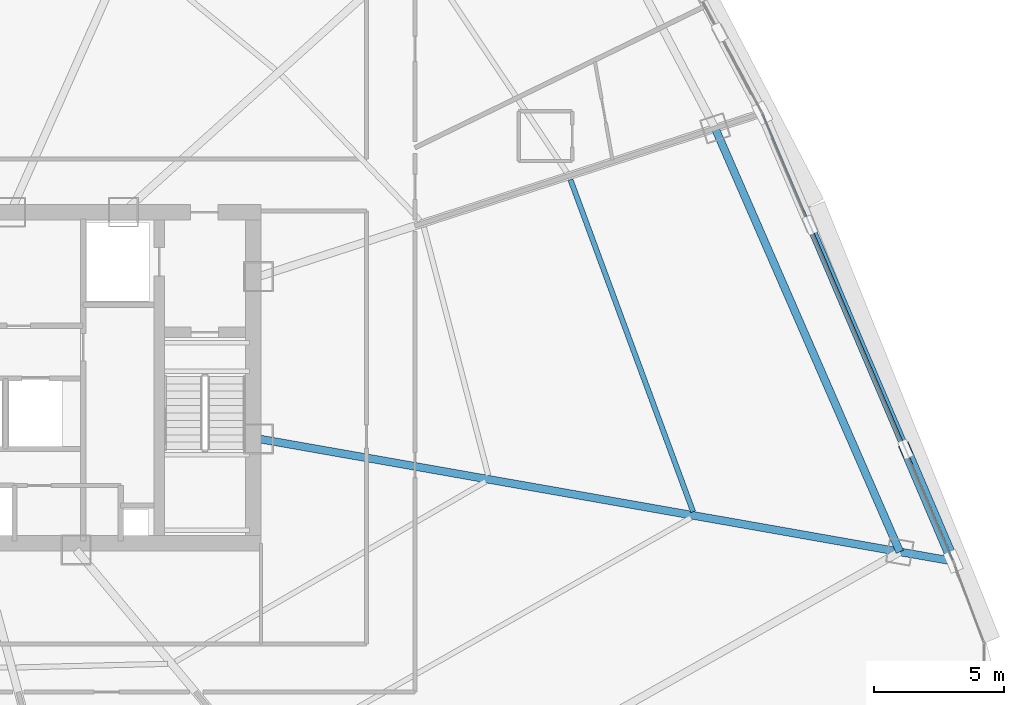
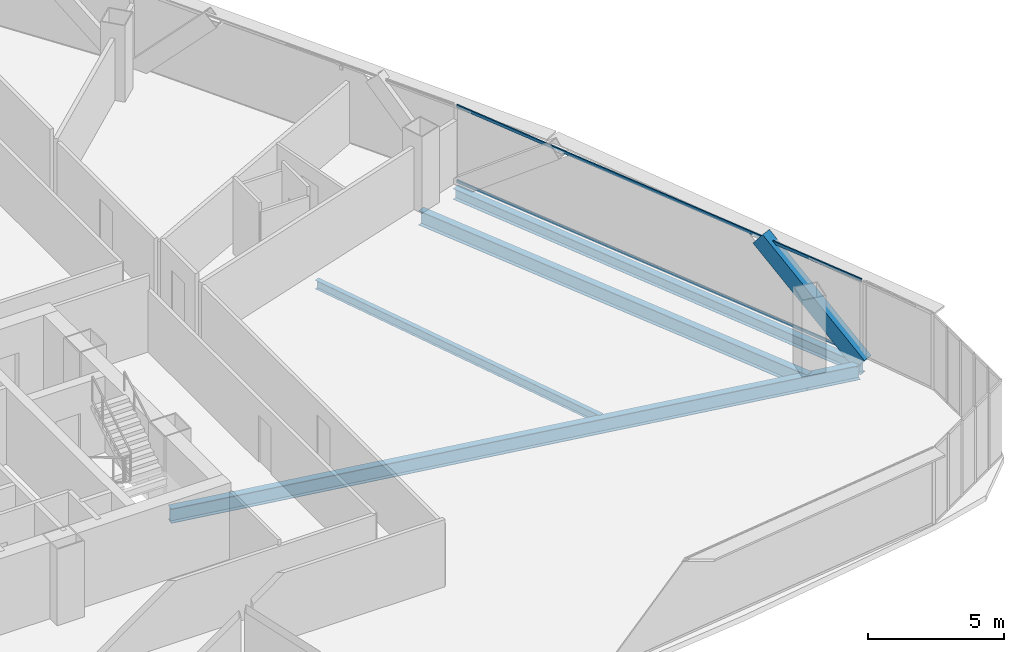
# One storey, part 25 of 42: 4 beams, 3 members, 1 element without a shape of its own.
"""IFC4 building model written with IfcOpenShell, lengths in metres."""

import ifcopenshell
import ifcopenshell.guid

model = None  # the IFC model being written
_history = None  # IfcOwnerHistory: only IFC2X3 demands one
_inside = {}  # id of a spatial element -> (the spatial element, [elements in it])
_under = {}  # id of a project, library or spatial element -> (it, [spatial elements below it])
_declared = {}  # id of a project -> (the project, [libraries it declares])
_typed = {}  # id of a type object -> (the type object, [elements of that type])
_made_of = {}  # id of a material, layer set ... -> (it, [elements and type objects made of it])


def new_model(schema):
    """Start an empty IFC model of exactly this schema.

    Asked for "IFC4X3", IfcOpenShell would pick the latest addendum, in which some entities
    have other attributes; the version numbers below select the first issue.
    IFC2X3 requires an IfcOwnerHistory on every rooted entity: one is made here for all.
    """
    global model, _history
    if schema == "IFC4X3":
        model = ifcopenshell.file(schema_version=(4, 3, 0, 0))
    else:
        model = ifcopenshell.file(schema=schema)
    _inside.clear()
    _under.clear()
    _declared.clear()
    _typed.clear()
    _made_of.clear()
    _history = None
    if model.schema == "IFC2X3":
        org = make("IfcOrganization", Name="unknown")
        user = make(
            "IfcPersonAndOrganization",
            ThePerson=make("IfcPerson", FamilyName="unknown"),
            TheOrganization=org,
        )
        app = make(
            "IfcApplication",
            ApplicationDeveloper=org,
            Version="unknown",
            ApplicationFullName="unknown",
            ApplicationIdentifier="unknown",
        )
        _history = make(
            "IfcOwnerHistory",
            OwningUser=user,
            OwningApplication=app,
            ChangeAction="ADDED",
            CreationDate=0,
        )
    return model


def make(cls, **values):
    """One entity of the class cls with the attributes given. An attribute that is None is left unset."""
    return model.create_entity(
        cls, **{name: value for name, value in values.items() if value is not None}
    )


def rooted(cls, **values):
    """An entity with a GlobalId (a new one), such as an element, a storey or a relation."""
    return make(cls, GlobalId=ifcopenshell.guid.new(), OwnerHistory=_history, **values)


def si_unit(unit_type, name, prefix=None):
    """IfcSIUnit, for example si_unit("LENGTHUNIT", "METRE", prefix="MILLI")."""
    return make("IfcSIUnit", UnitType=unit_type, Prefix=prefix, Name=name)


def assignment(units):
    """IfcUnitAssignment: the units of a project."""
    return None if units is None else make("IfcUnitAssignment", Units=units)


def point(xyz):
    """IfcCartesianPoint."""
    return None if xyz is None else make("IfcCartesianPoint", Coordinates=xyz)


def direction(xyz):
    """IfcDirection."""
    return None if xyz is None else make("IfcDirection", DirectionRatios=xyz)


def frame(location, z_axis=None, x_axis=None):
    """IfcAxis2Placement3D, a coordinate frame: its origin and axes. An axis left out is left unset."""
    return make(
        "IfcAxis2Placement3D",
        Location=point(location),
        Axis=direction(z_axis),
        RefDirection=direction(x_axis),
    )


def frame_2d(location, x_axis=None):
    """IfcAxis2Placement2D, a coordinate frame in the plane: its origin and x axis."""
    return make(
        "IfcAxis2Placement2D", Location=point(location), RefDirection=direction(x_axis)
    )


def origin():
    """The frame at (0, 0, 0) with its axes left unset."""
    return frame((0.0, 0.0, 0.0))


def origin_2d():
    """The frame at (0, 0) in the plane with its x axis left unset."""
    return frame_2d((0.0, 0.0))


def place(relative_to, where):
    """IfcLocalPlacement: puts the frame where relative to a parent placement (None: the world)."""
    return make(
        "IfcLocalPlacement", PlacementRelTo=relative_to, RelativePlacement=where
    )


def context(
    kind, dimensions, precision=None, world=None, true_north=None, identifier=None
):
    """IfcGeometricRepresentationContext, for example the 3D "Model" context."""
    return make(
        "IfcGeometricRepresentationContext",
        ContextIdentifier=identifier,
        ContextType=kind,
        CoordinateSpaceDimension=dimensions,
        Precision=precision,
        WorldCoordinateSystem=world,
        TrueNorth=true_north,
    )


def subcontext(parent, identifier, kind, view, scale=None):
    """IfcGeometricRepresentationSubContext, for example "Body" below "Model"."""
    return make(
        "IfcGeometricRepresentationSubContext",
        ContextIdentifier=identifier,
        ContextType=kind,
        ParentContext=parent,
        TargetScale=scale,
        TargetView=view,
    )


def project(units=None, contexts=None):
    """IfcProject with its units and contexts."""
    return rooted(
        "IfcProject",
        Name="project",
        RepresentationContexts=contexts,
        UnitsInContext=assignment(units),
    )


def spatial(cls, under=None, at=None, **own):
    """A site, building, storey or space (cls), placed at a placement, below another one or the project."""
    s = rooted(cls, ObjectPlacement=at, **own)
    if under is not None:
        _under.setdefault(under.id(), (under, []))[1].append(s)
    return s


def profile(cls, at=None, kind="AREA", **sizes):
    """A parametric profile (cls). Its sizes go by their IFC names, for example OverallWidth=200.0."""
    return make(cls, ProfileType=kind, Position=at, **sizes)


def hollow_rectangle(**sizes):
    """IfcRectangleHollowProfileDef."""
    return profile("IfcRectangleHollowProfileDef", **sizes)


def i_section(**sizes):
    """IfcIShapeProfileDef."""
    return profile("IfcIShapeProfileDef", **sizes)


def extrude(swept, where, along, depth):
    """IfcExtrudedAreaSolid: the profile swept, set in the frame where, extruded along a direction by depth."""
    return make(
        "IfcExtrudedAreaSolid",
        SweptArea=swept,
        Position=where,
        ExtrudedDirection=direction(along),
        Depth=depth,
    )


def shape(context_of_items, identifier, shape_type, items):
    """IfcShapeRepresentation: the items that make up one representation, for example the "Body"."""
    return make(
        "IfcShapeRepresentation",
        ContextOfItems=context_of_items,
        RepresentationIdentifier=identifier,
        RepresentationType=shape_type,
        Items=items,
    )


def source(mapping_origin, context_of_items, identifier, shape_type, items):
    """IfcRepresentationMap: a shape defined once, which mapped items show again and again."""
    return make(
        "IfcRepresentationMap",
        MappingOrigin=mapping_origin,
        MappedRepresentation=shape(context_of_items, identifier, shape_type, items),
    )


def transform(
    local_origin,
    x_axis=None,
    y_axis=None,
    z_axis=None,
    scale=None,
    scale2=None,
    scale3=None,
    uniform=True,
):
    """IfcCartesianTransformationOperator3D, or its non-uniform kind. x_axis, y_axis, z_axis: its Axis1, 2, 3."""
    if uniform:
        return make(
            "IfcCartesianTransformationOperator3D",
            Axis1=direction(x_axis),
            Axis2=direction(y_axis),
            LocalOrigin=point(local_origin),
            Scale=scale,
            Axis3=direction(z_axis),
        )
    return make(
        "IfcCartesianTransformationOperator3DnonUniform",
        Axis1=direction(x_axis),
        Axis2=direction(y_axis),
        LocalOrigin=point(local_origin),
        Scale=scale,
        Axis3=direction(z_axis),
        Scale2=scale2,
        Scale3=scale3,
    )


def mapped(mapping_source, mapping_target):
    """IfcMappedItem: shows the shape of a source again, moved by a transform."""
    return make(
        "IfcMappedItem", MappingSource=mapping_source, MappingTarget=mapping_target
    )


def material(Name=None, Category=None):
    """IfcMaterial."""
    return make("IfcMaterial", Name=Name, Category=Category)


def layer(
    of_material, thickness, ventilated=None, Name=None, Category=None, Priority=None
):
    """IfcMaterialLayer: one layer of a wall or slab, of a material (None: an air gap)."""
    return make(
        "IfcMaterialLayer",
        Material=of_material,
        LayerThickness=thickness,
        IsVentilated=ventilated,
        Name=Name,
        Category=Category,
        Priority=Priority,
    )


def layer_set(layers, Name=None):
    """IfcMaterialLayerSet."""
    return make("IfcMaterialLayerSet", MaterialLayers=layers, LayerSetName=Name)


def material_profile(
    of_material, cross_section, Name=None, Category=None, Priority=None
):
    """IfcMaterialProfile: a cross section and its material."""
    return make(
        "IfcMaterialProfile",
        Name=Name,
        Material=of_material,
        Profile=cross_section,
        Priority=Priority,
        Category=Category,
    )


def profile_set(profiles, Name=None, composite=None):
    """IfcMaterialProfileSet."""
    return make(
        "IfcMaterialProfileSet",
        Name=Name,
        MaterialProfiles=profiles,
        CompositeProfile=composite,
    )


def made_of(thing, what):
    """Note that an element or type object is made of a material, layer set ...; save() writes the relation."""
    if what is not None:
        _made_of.setdefault(what.id(), (what, []))[1].append(thing)
    return thing


def type_object(cls, material=None, **own):
    """A type object (cls), such as IfcWallType, which elements share."""
    return made_of(rooted(cls, **own), material)


def element(
    cls,
    number,
    at=None,
    inside=None,
    cuts=None,
    type_object=None,
    material=None,
    context=None,
    identifier="Body",
    shape_type=None,
    held_by="IfcProductDefinitionShape",
    body=None,
    shapes=None,
    **own,
):
    """One element of the class cls, such as IfcWall. Its Tag is "e" and its number.

    at: its placement. inside: the storey or other place that contains it. cuts: it is an
    opening in that element (IfcRelVoidsElement). A single representation is given by context,
    identifier, shape_type and body (its items); several are given by shapes. held_by: the class
    of the entity that holds the representations. save() writes the other relations.
    """
    e = rooted(cls, Tag="e%d" % number, ObjectPlacement=at, **own)
    if body is not None:
        shapes = [shape(context, identifier, shape_type, body)]
    if shapes is not None:
        e.Representation = make(held_by, Representations=shapes)
    if inside is not None:
        _inside.setdefault(inside.id(), (inside, []))[1].append(e)
    if cuts is not None:
        rooted(
            "IfcRelVoidsElement", RelatingBuildingElement=cuts, RelatedOpeningElement=e
        )
    if type_object is not None:
        _typed.setdefault(type_object.id(), (type_object, []))[1].append(e)
    return made_of(e, material)


def aggregate(whole, parts):
    """IfcRelAggregates: a whole, such as a stair, and the parts it consists of."""
    return rooted("IfcRelAggregates", RelatingObject=whole, RelatedObjects=parts)


def save(model, path):
    """Write the relations noted so far, then the file.

    IfcRelAggregates (storeys below a building ...), IfcRelContainedInSpatialStructure (elements
    in a storey), IfcRelDefinesByType, IfcRelAssociatesMaterial and IfcRelDeclares: one each for
    every whole, place, type object, material and project.
    """
    for whole, parts in _under.values():
        aggregate(whole, parts)
    for where, things in _inside.values():
        rooted(
            "IfcRelContainedInSpatialStructure",
            RelatedElements=things,
            RelatingStructure=where,
        )
    for kind, things in _typed.values():
        rooted("IfcRelDefinesByType", RelatedObjects=things, RelatingType=kind)
    for what, things in _made_of.values():
        rooted("IfcRelAssociatesMaterial", RelatedObjects=things, RelatingMaterial=what)
    for by, libraries in _declared.values():
        rooted("IfcRelDeclares", RelatingContext=by, RelatedDefinitions=libraries)
    model.write(path)


model = new_model("IFC4")

# Units and contexts
model_context = context("Model", 3, precision=1e-05, world=origin(), true_north=direction((0.0, 1.0)))
body_context = subcontext(model_context, "Body", "Model", "MODEL_VIEW")
ifc_project = project(units=[si_unit("LENGTHUNIT", "METRE"), si_unit("AREAUNIT", "SQUARE_METRE"), si_unit("VOLUMEUNIT", "CUBIC_METRE"), si_unit("PLANEANGLEUNIT", "RADIAN"), si_unit("MASSUNIT", "GRAM", prefix="KILO"), si_unit("THERMODYNAMICTEMPERATUREUNIT", "KELVIN"), si_unit("POWERUNIT", "WATT")], contexts=[model_context])

# Site, building, storey
site_placement = place(None, origin())
site = spatial("IfcSite", under=ifc_project, at=site_placement, CompositionType="ELEMENT")
building_placement = place(site_placement, origin())
building = spatial("IfcBuilding", under=site, at=building_placement, Name="Yunzhuo Pagoda Commons", CompositionType="ELEMENT")
storey_placement = place(building_placement, frame((0.0, 0.0, 129.830078125)))
storey = spatial("IfcBuildingStorey", under=building, at=storey_placement, Name="L32", CompositionType="ELEMENT", Elevation=129.830078125)

# Beams
ifc_material_1 = material(Name="Structural steel Q355B", Category="steel")
ifc_material_profile_1 = material_profile(ifc_material_1, i_section(OverallWidth=0.300048828125, OverallDepth=0.488037109375, WebThickness=0.010986328125, FlangeThickness=0.01806640625, at=origin_2d()), Name="Structural steel Q355B")
ifc_profile_set_1 = profile_set([ifc_material_profile_1], Name="Structural steel Q355B")
beam_type_1 = type_object("IfcBeamType", Name="B-SP1 Beam HM 488x300x11x18", PredefinedType="BEAM", material=ifc_profile_set_1)
shared_shape_1 = source(origin(), body_context, "Body", "SweptSolid", [
    extrude(i_section(OverallWidth=0.300048828125, OverallDepth=0.488037109375, WebThickness=0.010986328125, FlangeThickness=0.01806640625, at=origin_2d()), origin(), (0.0, 0.0, 1.0), 18.688232421875),
])
beam_1_placement = place(storey_placement, frame((87.0478515625, 26.814697265625, -0.504150390625), z_axis=(-0.392084847938, 0.919929058144, 0.0), x_axis=(-0.919929058144, -0.392084847938, 0.0)))
element("IfcBeam", 1, at=beam_1_placement, inside=storey, type_object=beam_type_1, Name="L32 facade edge spandrel beam F2.1", PredefinedType="BEAM", context=body_context, shape_type="MappedRepresentation", body=[
    mapped(shared_shape_1, transform((0.0, 0.0, 0.0), scale=1.0)),
])
ifc_material_profile_2 = material_profile(ifc_material_1, i_section(OverallWidth=0.300048828125, OverallDepth=0.64990234375, WebThickness=0.012939453125, FlangeThickness=0.02197265625, at=origin_2d()), Name="Structural steel Q355B")
ifc_profile_set_2 = profile_set([ifc_material_profile_2], Name="Structural steel Q355B")
beam_type_2 = type_object("IfcBeamType", Name="B-RG2 Beam HN 650x300x13x22", PredefinedType="BEAM", material=ifc_profile_set_2)
shared_shape_2 = source(origin(), body_context, "Body", "SweptSolid", [
    extrude(i_section(OverallWidth=0.300048828125, OverallDepth=0.64990234375, WebThickness=0.012939453125, FlangeThickness=0.02197265625, at=origin_2d()), origin(), (0.0, 0.0, 1.0), 26.904052734375),
])
beam_2_placement = place(storey_placement, frame((86.895263671875, 26.841796875, -0.5849609375), z_axis=(-0.984809127253, 0.173640383782, 0.0), x_axis=(-0.173640383782, -0.984809127253, 0.0)))
element("IfcBeam", 2, at=beam_2_placement, inside=storey, type_object=beam_type_2, Name="L32 radial floor girder F2C1", PredefinedType="BEAM", context=body_context, shape_type="MappedRepresentation", body=[
    mapped(shared_shape_2, transform((0.0, 0.0, 0.0), scale=1.0)),
])
shared_shape_3 = source(origin(), body_context, "Body", "SweptSolid", [
    extrude(i_section(OverallWidth=0.300048828125, OverallDepth=0.64990234375, WebThickness=0.012939453125, FlangeThickness=0.02197265625, at=origin_2d()), origin(), (0.0, 0.0, 1.0), 17.72021484375),
])
beam_3_placement = place(storey_placement, frame((84.9970703125, 27.176513671875, -0.5849609375), z_axis=(-0.399643307961, 0.916670729544, 0.0), x_axis=(-0.916670729544, -0.399643307961, 0.0)))
element("IfcBeam", 3, at=beam_3_placement, inside=storey, type_object=beam_type_2, Name="L32 column-ring beam 5", PredefinedType="BEAM", context=body_context, shape_type="MappedRepresentation", body=[
    mapped(shared_shape_3, transform((0.0, 0.0, 0.0), scale=1.0)),
])
ifc_material_profile_3 = material_profile(ifc_material_1, i_section(OverallWidth=0.199951171875, OverallDepth=0.39990234375, WebThickness=0.008056640625, FlangeThickness=0.012939453125, at=origin_2d()), Name="Structural steel Q355B")
ifc_profile_set_3 = profile_set([ifc_material_profile_3], Name="Structural steel Q355B")
beam_type_3 = type_object("IfcBeamType", Name="B-JS1 Joist HN 400x200x8x13", PredefinedType="JOIST", material=ifc_profile_set_3)
shared_shape_4 = source(origin(), body_context, "Body", "SweptSolid", [
    extrude(i_section(OverallWidth=0.199951171875, OverallDepth=0.39990234375, WebThickness=0.008056640625, FlangeThickness=0.012939453125, at=origin_2d()), origin(), (0.0, 0.0, 1.0), 13.57763671875),
])
beam_4_placement = place(storey_placement, frame((77.07080078125, 28.71337890625, -0.4599609375), z_axis=(-0.346531829181, 0.938038214235, 0.0), x_axis=(-0.938038214235, -0.346531829181, 0.0)))
element("IfcBeam", 4, at=beam_4_placement, inside=storey, type_object=beam_type_3, Name="L32 composite ring joist 2.5", PredefinedType="JOIST", context=body_context, shape_type="MappedRepresentation", body=[
    mapped(shared_shape_4, transform((0.0, 0.0, 0.0), scale=1.0)),
])

# Member
ifc_material_2 = material(Name="Structural steel Q420B", Category="steel")
ifc_material_profile_4 = material_profile(ifc_material_2, hollow_rectangle(XDim=0.419921875, YDim=0.719970703125, WallThickness=0.028076171875, at=origin_2d()), Name="Structural steel Q420B")
ifc_profile_set_4 = profile_set([ifc_material_profile_4], Name="Structural steel Q420B")
member_type_1 = type_object("IfcMemberType", Name="M-DL1 Brace BOX 720x420x28", PredefinedType="BRACE", material=ifc_profile_set_4)
shared_shape_5 = source(origin(), body_context, "Body", "SweptSolid", [
    extrude(hollow_rectangle(XDim=0.419921875, YDim=0.719970703125, WallThickness=0.028076171875, at=origin_2d()), origin(), (0.0, 0.0, 1.0), 5.947265625),
])
member_1_placement = place(storey_placement, frame((87.0478515625, 26.814697265625, -0.260009765625), z_axis=(-0.307963419029, 0.722700078912, 0.618759346177), x_axis=(-0.919956632519, -0.392020145252, 0.0)))
element("IfcMember", 5, at=member_1_placement, inside=storey, type_object=member_type_1, Name="L32 facade diamond brace F2.1L", PredefinedType="BRACE", context=body_context, shape_type="MappedRepresentation", body=[
    mapped(shared_shape_5, transform((0.0, 0.0, 0.0), scale=1.0)),
])

# Curtain wall, members
ifc_material_3 = material(Name="Anodized aluminium 6063-T6", Category="aluminium")
ifc_layer = layer(ifc_material_3, 0.14990234375)
ifc_layer_set = layer_set([ifc_layer], Name="Anodized aluminium 6063-T6")
curtain_wall_type = type_object("IfcCurtainWallType", Name="CW-MID Mid-Zone Ribbon Curtain Wall", PredefinedType="NOTDEFINED", material=ifc_layer_set)
curtain_wall_placement = place(storey_placement, origin())
curtain_wall = element("IfcCurtainWall", 6, at=curtain_wall_placement, inside=storey, type_object=curtain_wall_type, Name="L32 curtain wall CW-L32-F2B2", PredefinedType="NOTDEFINED")
ifc_material_profile_5 = material_profile(ifc_material_3, hollow_rectangle(XDim=0.054931640625, YDim=0.1298828125, WallThickness=0.00341796875, at=origin_2d()), Name="Anodized aluminium 6063-T6")
ifc_profile_set_5 = profile_set([ifc_material_profile_5], Name="Anodized aluminium 6063-T6")
member_type_2 = type_object("IfcMemberType", Name="CW-MID-T Transom RHS 130x55x3.5", PredefinedType="USERDEFINED", material=ifc_profile_set_5)
shared_shape_6 = source(origin(), body_context, "Body", "SweptSolid", [
    extrude(hollow_rectangle(XDim=0.054931640625, YDim=0.1298828125, WallThickness=0.00341796875, at=origin_2d()), origin(), (0.0, 0.0, 1.0), 18.568115234375),
])
member_2_placement = place(storey_placement, frame((87.0244140625, 26.8701171875, 0.02734375), z_axis=(-0.392085671986, 0.919928706924, 0.0), x_axis=(-0.919928706924, -0.392085671986, 0.0)))
member_2 = element("IfcMember", 7, at=member_2_placement, type_object=member_type_2, Name="CW transom 1.1", ObjectType="TRANSOM", PredefinedType="USERDEFINED", context=body_context, shape_type="MappedRepresentation", body=[
    mapped(shared_shape_6, transform((0.0, 0.0, 0.0), scale=1.0)),
])
member_3_placement = place(storey_placement, frame((87.0244140625, 26.8701171875, 3.392333984375), z_axis=(-0.392085671986, 0.919928706924, 0.0), x_axis=(-0.919928706924, -0.392085671986, 0.0)))
member_3 = element("IfcMember", 8, at=member_3_placement, type_object=member_type_2, Name="CW transom 1.2", ObjectType="TRANSOM", PredefinedType="USERDEFINED", context=body_context, shape_type="MappedRepresentation", body=[
    mapped(shared_shape_6, transform((0.0, 0.0, 0.0), scale=1.0)),
])
aggregate(curtain_wall, [member_2, member_3])

save(model, "model.ifc")
